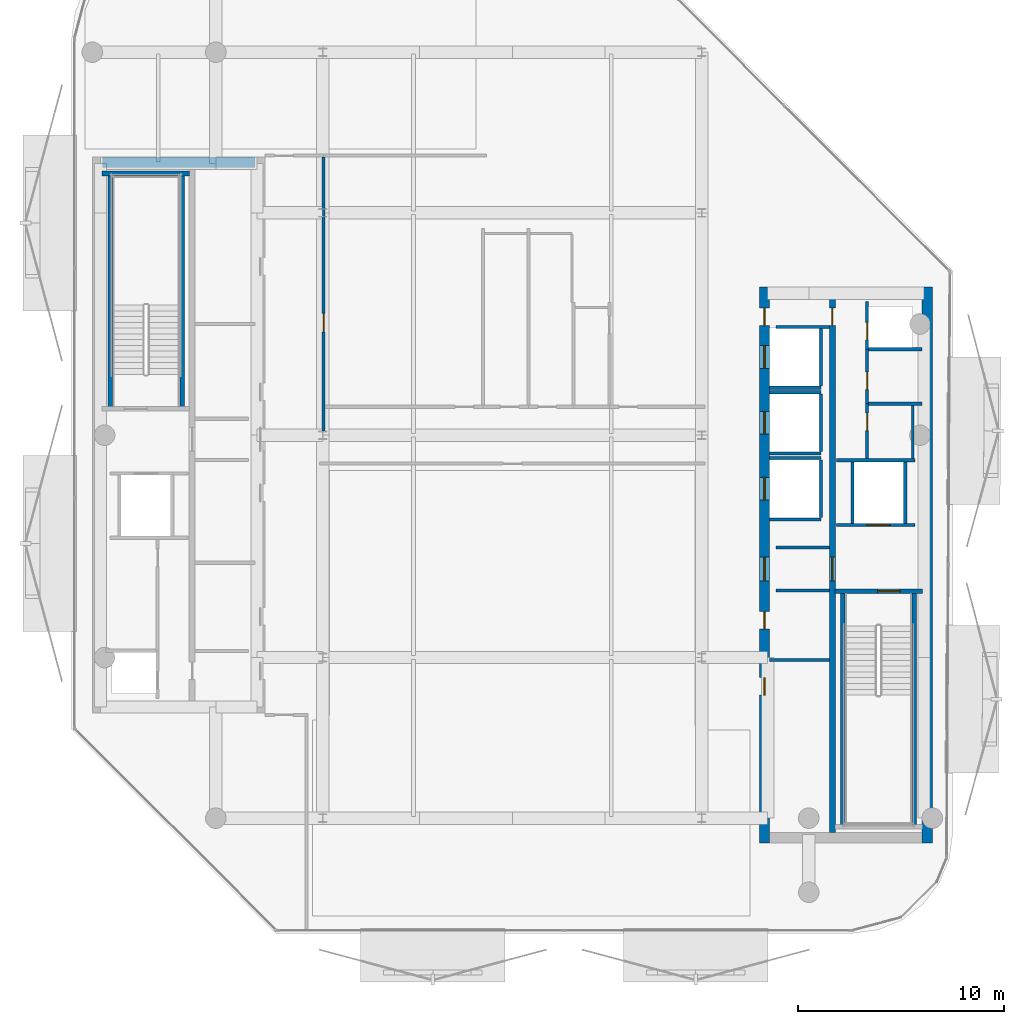
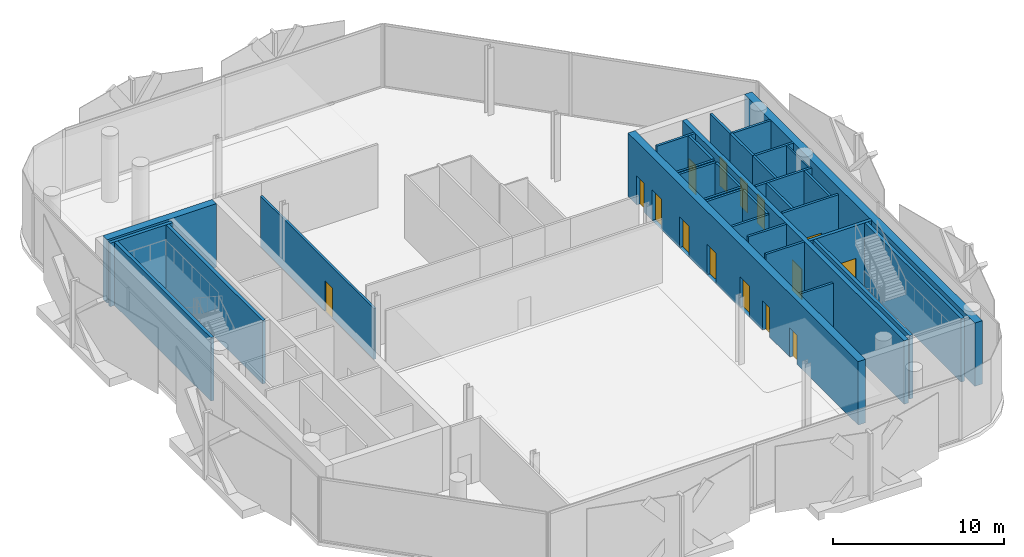
# One storey, part 5 of 15: 33 walls, 15 doors, 15 openings.
"""IFC4 building model written with IfcOpenShell, lengths in metres."""

from ifc_helpers import new_model, si_unit, direction, frame, frame_2d, origin, place, context, subcontext, project, spatial, rectangle, extrude, material, layer, layer_set, type_object, element, fill, save


model = new_model("IFC4")

# Units and contexts
model_context = context("Model", 3, precision=1e-05, world=origin(), true_north=direction((0.0, 1.0)))
body_context = subcontext(model_context, "Body", "Model", "MODEL_VIEW")
ifc_project = project(units=[si_unit("LENGTHUNIT", "METRE"), si_unit("AREAUNIT", "SQUARE_METRE"), si_unit("VOLUMEUNIT", "CUBIC_METRE"), si_unit("PLANEANGLEUNIT", "RADIAN"), si_unit("MASSUNIT", "GRAM", prefix="KILO")], contexts=[model_context])

# Site, building, storey
site_placement = place(None, origin())
site = spatial("IfcSite", under=ifc_project, at=site_placement, CompositionType="ELEMENT")
building_placement = place(site_placement, origin())
building = spatial("IfcBuilding", under=site, at=building_placement, Name="Khairoan Windgate Tower", CompositionType="ELEMENT")
storey_placement = place(building_placement, frame((0.0, 0.0, 315.60009765625)))
storey = spatial("IfcBuildingStorey", under=building, at=storey_placement, Name="L76", CompositionType="ELEMENT", Elevation=315.60009765625)

# Walls
ifc_material_1 = material(Name="Moisture-Resistant Gypsum Partition", Category="gypsum")
ifc_layer_1 = layer(ifc_material_1, 0.10009765625, Name="Moisture-Resistant Gypsum Partition")
ifc_layer_set_1 = layer_set([ifc_layer_1], Name="Moisture-Resistant Gypsum Partition")
wall_type_1 = type_object("IfcWallType", Name="Bathroom Wet-Area Partition Wall", PredefinedType="PARTITIONING", material=ifc_layer_set_1)
wall_1_placement = place(storey_placement, frame((19.449951171875, 1.449951171875, 0.0), z_axis=(0.0, 0.0, 1.0), x_axis=(0.0, -1.0, 0.0)))
element("IfcWall", 1, at=wall_1_placement, inside=storey, type_object=wall_type_1, Name="L76 Wet Room Side Wall 027", PredefinedType="PARTITIONING", context=body_context, shape_type="SweptSolid", body=[
    extrude(rectangle(XDim=2.58984375, YDim=0.10009765625, at=frame_2d((1.294921875, 0.0))), origin(), (0.0, 0.0, 1.0), 4.539794921875),
])
ifc_material_2 = material(Name="Concrete C40/50", Category="concrete")
ifc_layer_2 = layer(ifc_material_2, 0.159912109375, Name="Concrete C40/50")
ifc_layer_set_2 = layer_set([ifc_layer_2], Name="Concrete C40/50")
wall_type_2 = type_object("IfcWallType", Name="Core and Hoistway Enclosure Wall", PredefinedType="STANDARD", material=ifc_layer_set_2)
wall_2_placement = place(storey_placement, frame((12.5, 2.31005859375, 0.0), z_axis=(0.0, 0.0, 1.0), x_axis=(1.0, 0.0, 0.0)))
element("IfcWall", 2, at=wall_2_placement, inside=storey, type_object=wall_type_2, Name="L76 Lift PL7 Hoistway Divider S", PredefinedType="STANDARD", context=body_context, shape_type="SweptSolid", body=[
    extrude(rectangle(XDim=2.489990234375, YDim=0.159912109375, at=frame_2d((1.2451171875, 0.0))), origin(), (0.0, 0.0, 1.0), 4.539794921875),
])
wall_3_placement = place(storey_placement, frame((14.989990234375, 2.39990234375, 0.0), z_axis=(0.0, 0.0, 1.0), x_axis=(0.0, 1.0, 0.0)))
element("IfcWall", 3, at=wall_3_placement, inside=storey, type_object=wall_type_2, Name="L76 Lift PL7 Hoistway Back Wall", PredefinedType="STANDARD", context=body_context, shape_type="SweptSolid", body=[
    extrude(rectangle(XDim=2.800048828125, YDim=0.159912109375, at=frame_2d((1.39990234375, 0.0))), origin(), (0.0, 0.0, 1.0), 4.539794921875),
])
for number, where, z_axis, x_axis, name in (
    (4, (12.5, -0.889892578125, 0.0), (0.0, 0.0, 1.0), (1.0, 0.0, 0.0), "L76 Lift PL8 Hoistway Divider S"),
    (5, (12.5, 2.090087890625, 0.0), (0.0, 0.0, 1.0), (1.0, 0.0, 0.0), "L76 Lift PL8 Hoistway Divider N"),
):
    element("IfcWall", number, at=place(storey_placement, frame(where, z_axis=z_axis, x_axis=x_axis)), inside=storey, type_object=wall_type_2, Name=name, PredefinedType="STANDARD", context=body_context, shape_type="SweptSolid", body=[
        extrude(rectangle(XDim=2.489990234375, YDim=0.159912109375, at=frame_2d((1.2451171875, 0.0))), origin(), (0.0, 0.0, 1.0), 4.539794921875),
    ])
wall_4_placement = place(storey_placement, frame((14.989990234375, -0.800048828125, 0.0), z_axis=(0.0, 0.0, 1.0), x_axis=(0.0, 1.0, 0.0)))
element("IfcWall", 6, at=wall_4_placement, inside=storey, type_object=wall_type_2, Name="L76 Lift PL8 Hoistway Back Wall", PredefinedType="STANDARD", context=body_context, shape_type="SweptSolid", body=[
    extrude(rectangle(XDim=2.800048828125, YDim=0.159912109375, at=frame_2d((1.39990234375, 0.0))), origin(), (0.0, 0.0, 1.0), 4.539794921875),
])
for number, where, z_axis, x_axis, name in (
    (7, (12.5, -4.090087890625, 0.0), (0.0, 0.0, 1.0), (1.0, 0.0, 0.0), "L76 Lift PL9 Hoistway Divider S"),
    (8, (12.5, -1.110107421875, 0.0), (0.0, 0.0, 1.0), (1.0, 0.0, 0.0), "L76 Lift PL9 Hoistway Divider N"),
):
    element("IfcWall", number, at=place(storey_placement, frame(where, z_axis=z_axis, x_axis=x_axis)), inside=storey, type_object=wall_type_2, Name=name, PredefinedType="STANDARD", context=body_context, shape_type="SweptSolid", body=[
        extrude(rectangle(XDim=2.489990234375, YDim=0.159912109375, at=frame_2d((1.2451171875, 0.0))), origin(), (0.0, 0.0, 1.0), 4.539794921875),
    ])
wall_5_placement = place(storey_placement, frame((14.989990234375, -4.0, 0.0), z_axis=(0.0, 0.0, 1.0), x_axis=(0.0, 1.0, 0.0)))
element("IfcWall", 9, at=wall_5_placement, inside=storey, type_object=wall_type_2, Name="L76 Lift PL9 Hoistway Back Wall", PredefinedType="STANDARD", context=body_context, shape_type="SweptSolid", body=[
    extrude(rectangle(XDim=2.800048828125, YDim=0.159912109375, at=frame_2d((1.39990234375, 0.0))), origin(), (0.0, 0.0, 1.0), 4.539794921875),
])

# Wall, opening, door
wall_6_placement = place(storey_placement, frame((15.75, -4.360107421875, 0.0), z_axis=(0.0, 0.0, 1.0), x_axis=(1.0, 0.0, 0.0)))
wall_6 = element("IfcWall", 10, at=wall_6_placement, inside=storey, type_object=wall_type_2, Name="L76 Core Shaft Wall SW-FL1-L76", PredefinedType="STANDARD", context=body_context, shape_type="SweptSolid", body=[
    extrude(rectangle(XDim=3.800048828125, YDim=0.159912109375, at=frame_2d((1.89990234375, 0.0))), origin(), (0.0, 0.0, 1.0), 4.539794921875),
])
opening_1_placement = place(wall_6_placement, frame((1.469970703125, 0.0, 0.0)))
opening_1 = element("IfcOpeningElement", 11, at=opening_1_placement, cuts=wall_6, Name="Opening LD-FL", PredefinedType="OPENING", context=body_context, shape_type="SweptSolid", body=[
    extrude(rectangle(XDim=1.14990234375, YDim=2.199951171875, at=frame_2d((0.574951171875, 1.10009765625))), frame((0.0, 0.08984375, 0.0), z_axis=(0.0, -1.0, 0.0), x_axis=(1.0, 0.0, 0.0)), (0.0, 0.0, 1.0), 0.179931640625),
])
ifc_material_3 = material(Name="Steel S355", Category="steel")
door_type_1 = type_object("IfcDoorType", Name="Firefighting Lift Sliding Landing Door LD-FL 1150x2200", OperationType="DOUBLE_DOOR_SLIDING", PredefinedType="DOOR", material=ifc_material_3)
door_1_placement = place(opening_1_placement, origin())
door_1 = element("IfcDoor", 12, at=door_1_placement, inside=storey, type_object=door_type_1, Name="L76 Firefighting Lift FL1 Landing Door", OperationType="DOUBLE_DOOR_SLIDING", OverallHeight=2.199951171875, OverallWidth=1.14990234375, PredefinedType="DOOR", context=body_context, shape_type="SweptSolid", body=[
    extrude(rectangle(XDim=1.14990234375, YDim=2.199951171875, at=frame_2d((0.574951171875, 1.10009765625))), frame((0.0, 0.02490234375, 0.0), z_axis=(0.0, -1.0, 0.0), x_axis=(1.0, 0.0, 0.0)), (0.0, 0.0, 1.0), 0.050048828125),
])
fill(opening_1, door_1)

# Walls
wall_7_placement = place(storey_placement, frame((15.75, -1.219970703125, 0.0), z_axis=(0.0, 0.0, 1.0), x_axis=(1.0, 0.0, 0.0)))
element("IfcWall", 13, at=wall_7_placement, inside=storey, type_object=wall_type_2, Name="L76 Core Shaft Wall SW-FL1T-L76", PredefinedType="STANDARD", context=body_context, shape_type="SweptSolid", body=[
    extrude(rectangle(XDim=3.800048828125, YDim=0.159912109375, at=frame_2d((1.89990234375, 0.0))), origin(), (0.0, 0.0, 1.0), 4.539794921875),
])
for number, where, z_axis, x_axis, name in (
    (14, (16.52001953125, -4.280029296875, 0.0), (0.0, 0.0, 1.0), (0.0, 1.0, 0.0), "L76 Core Shaft Wall SW-FL1W-L76"),
    (15, (19.080078125, -4.280029296875, 0.0), (0.0, 0.0, 1.0), (0.0, 1.0, 0.0), "L76 Core Shaft Wall SW-FL1E-L76"),
):
    element("IfcWall", number, at=place(storey_placement, frame(where, z_axis=z_axis, x_axis=x_axis)), inside=storey, type_object=wall_type_2, Name=name, PredefinedType="STANDARD", context=body_context, shape_type="SweptSolid", body=[
        extrude(rectangle(XDim=2.97998046875, YDim=0.159912109375, at=frame_2d((1.489990234375, 0.0))), origin(), (0.0, 0.0, 1.0), 4.539794921875),
    ])
for number, where, z_axis, x_axis, name in (
    (16, (12.800048828125, -5.449951171875, 0.0), (0.0, 0.0, 1.0), (1.0, 0.0, 0.0), "L76 Core Shaft Wall SW-EV1-L76"),
    (17, (12.800048828125, -7.5400390625, 0.0), (0.0, 0.0, 1.0), (1.0, 0.0, 0.0), "L76 Core Shaft Wall SW-EV2-L76"),
    (18, (12.800048828125, 5.25, 0.0), (0.0, 0.0, 1.0), (1.0, 0.0, 0.0), "L76 Core Shaft Wall SW-ESV-L76"),
):
    element("IfcWall", number, at=place(storey_placement, frame(where, z_axis=z_axis, x_axis=x_axis)), inside=storey, type_object=wall_type_2, Name=name, PredefinedType="STANDARD", context=body_context, shape_type="SweptSolid", body=[
        extrude(rectangle(XDim=2.599853515625, YDim=0.159912109375, at=frame_2d((1.2998046875, 0.0))), origin(), (0.0, 0.0, 1.0), 4.539794921875),
    ])

# Wall, opening, door
ifc_material_4 = material(Name="Concrete C40/50", Category="concrete")
ifc_layer_3 = layer(ifc_material_4, 0.159912109375, Name="Concrete C40/50")
ifc_layer_set_3 = layer_set([ifc_layer_3], Name="Concrete C40/50")
wall_type_3 = type_object("IfcWallType", Name="Plant and Refuge Compartment Wall", PredefinedType="PARTITIONING", material=ifc_layer_set_3)
wall_8_placement = place(storey_placement, frame((17.22998046875, 4.169921875, 0.0), z_axis=(0.0, 0.0, 1.0), x_axis=(0.0, 1.0, 0.0)))
wall_8 = element("IfcWall", 19, at=wall_8_placement, inside=storey, type_object=wall_type_3, Name="L76 Interior Partition 006", PredefinedType="PARTITIONING", context=body_context, shape_type="SweptSolid", body=[
    extrude(rectangle(XDim=2.320068359375, YDim=0.159912109375, at=frame_2d((1.16015625, 0.0))), origin(), (0.0, 0.0, 1.0), 4.539794921875),
])
opening_2_placement = place(wall_8_placement, frame((0.4599609375, 0.0, 0.0)))
opening_2 = element("IfcOpeningElement", 20, at=opening_2_placement, cuts=wall_8, Name="Opening FD-SRV", PredefinedType="OPENING", context=body_context, shape_type="SweptSolid", body=[
    extrude(rectangle(XDim=0.85009765625, YDim=2.10009765625, at=frame_2d((0.425048828125, 1.050048828125))), frame((0.0, 0.08984375, 0.0), z_axis=(0.0, -1.0, 0.0), x_axis=(1.0, 0.0, 0.0)), (0.0, 0.0, 1.0), 0.179931640625),
])
ifc_material_5 = material(Name="Steel S355", Category="steel")
door_type_2 = type_object("IfcDoorType", Name="Core Service and Riser Fire Door FD-SRV 850x2100", OperationType="NOTDEFINED", PredefinedType="DOOR", material=ifc_material_5)
door_2_placement = place(opening_2_placement, origin())
door_2 = element("IfcDoor", 21, at=door_2_placement, inside=storey, type_object=door_type_2, Name="L76 L76-16-L76-17 Door", OperationType="SINGLE_SWING_LEFT", OverallHeight=2.10009765625, OverallWidth=0.85009765625, PredefinedType="DOOR", context=body_context, shape_type="SweptSolid", body=[
    extrude(rectangle(XDim=0.85009765625, YDim=2.10009765625, at=frame_2d((0.425048828125, 1.050048828125))), frame((0.0, 0.02490234375, 0.0), z_axis=(0.0, -1.0, 0.0), x_axis=(1.0, 0.0, 0.0)), (0.0, 0.0, 1.0), 0.050048828125),
])
fill(opening_2, door_2)

wall_9_placement = place(storey_placement, frame((17.22998046875, -1.139892578125, 0.0), z_axis=(0.0, 0.0, 1.0), x_axis=(0.0, 1.0, 0.0)))
wall_9 = element("IfcWall", 22, at=wall_9_placement, inside=storey, type_object=wall_type_3, Name="L76 Interior Partition 007", PredefinedType="PARTITIONING", context=body_context, shape_type="SweptSolid", body=[
    extrude(rectangle(XDim=2.669921875, YDim=0.159912109375, at=frame_2d((1.3349609375, 0.0))), origin(), (0.0, 0.0, 1.0), 4.539794921875),
])
opening_3_placement = place(wall_9_placement, frame((1.360107421875, 0.0, 0.0)))
opening_3 = element("IfcOpeningElement", 23, at=opening_3_placement, cuts=wall_9, Name="Opening FD-SRV", PredefinedType="OPENING", context=body_context, shape_type="SweptSolid", body=[
    extrude(rectangle(XDim=0.85009765625, YDim=2.10009765625, at=frame_2d((0.425048828125, 1.050048828125))), frame((0.0, 0.08984375, 0.0), z_axis=(0.0, -1.0, 0.0), x_axis=(1.0, 0.0, 0.0)), (0.0, 0.0, 1.0), 0.179931640625),
])
door_3_placement = place(opening_3_placement, origin())
door_3 = element("IfcDoor", 24, at=door_3_placement, inside=storey, type_object=door_type_2, Name="L76 L76-16-L76-18 Door", OperationType="SINGLE_SWING_RIGHT", OverallHeight=2.10009765625, OverallWidth=0.85009765625, PredefinedType="DOOR", context=body_context, shape_type="SweptSolid", body=[
    extrude(rectangle(XDim=0.85009765625, YDim=2.10009765625, at=frame_2d((0.425048828125, 1.050048828125))), frame((0.0, 0.02490234375, 0.0), z_axis=(0.0, -1.0, 0.0), x_axis=(1.0, 0.0, 0.0)), (0.0, 0.0, 1.0), 0.050048828125),
])
fill(opening_3, door_3)

wall_10_placement = place(storey_placement, frame((17.22998046875, 1.530029296875, 0.0), z_axis=(0.0, 0.0, 1.0), x_axis=(0.0, 1.0, 0.0)))
wall_10 = element("IfcWall", 25, at=wall_10_placement, inside=storey, type_object=wall_type_3, Name="L76 Interior Partition 008", PredefinedType="PARTITIONING", context=body_context, shape_type="SweptSolid", body=[
    extrude(rectangle(XDim=2.639892578125, YDim=0.159912109375, at=frame_2d((1.31982421875, 0.0))), origin(), (0.0, 0.0, 1.0), 4.539794921875),
])
opening_4_placement = place(wall_10_placement, frame((0.677490234375, 0.0, 0.0)))
opening_4 = element("IfcOpeningElement", 26, at=opening_4_placement, cuts=wall_10, Name="Opening FD-SRV", PredefinedType="OPENING", context=body_context, shape_type="SweptSolid", body=[
    extrude(rectangle(XDim=0.85009765625, YDim=2.10009765625, at=frame_2d((0.425048828125, 1.050048828125))), frame((0.0, 0.08984375, 0.0), z_axis=(0.0, -1.0, 0.0), x_axis=(1.0, 0.0, 0.0)), (0.0, 0.0, 1.0), 0.179931640625),
])
door_4_placement = place(opening_4_placement, origin())
door_4 = element("IfcDoor", 27, at=door_4_placement, inside=storey, type_object=door_type_2, Name="L76 L76-16-L76-19 Door", OperationType="SINGLE_SWING_LEFT", OverallHeight=2.10009765625, OverallWidth=0.85009765625, PredefinedType="DOOR", context=body_context, shape_type="SweptSolid", body=[
    extrude(rectangle(XDim=0.85009765625, YDim=2.10009765625, at=frame_2d((0.425048828125, 1.050048828125))), frame((0.0, 0.02490234375, 0.0), z_axis=(0.0, -1.0, 0.0), x_axis=(1.0, 0.0, 0.0)), (0.0, 0.0, 1.0), 0.050048828125),
])
fill(opening_4, door_4)

# Walls
for number, where, z_axis, x_axis, name in (
    (28, (17.31005859375, 4.169921875, 0.0), (0.0, 0.0, 1.0), (1.0, 0.0, 0.0), "L76 Interior Partition 009"),
    (29, (17.31005859375, 1.530029296875, 0.0), (0.0, 0.0, 1.0), (1.0, 0.0, 0.0), "L76 Interior Partition 010"),
):
    element("IfcWall", number, at=place(storey_placement, frame(where, z_axis=z_axis, x_axis=x_axis)), inside=storey, type_object=wall_type_3, Name=name, PredefinedType="PARTITIONING", context=body_context, shape_type="SweptSolid", body=[
        extrude(rectangle(XDim=2.58984375, YDim=0.159912109375, at=frame_2d((1.294921875, 0.0))), origin(), (0.0, 0.0, 1.0), 4.539794921875),
    ])
wall_11_placement = place(storey_placement, frame((12.5, -10.919921875, 0.0), z_axis=(0.0, 0.0, 1.0), x_axis=(1.0, 0.0, 0.0)))
element("IfcWall", 30, at=wall_11_placement, inside=storey, type_object=wall_type_3, Name="L76 Interior Partition 011", PredefinedType="PARTITIONING", context=body_context, shape_type="SweptSolid", body=[
    extrude(rectangle(XDim=2.89990234375, YDim=0.159912109375, at=frame_2d((1.449951171875, 0.0))), origin(), (0.0, 0.0, 1.0), 3.639892578125),
])

# Wall, opening, door
ifc_material_6 = material(Name="Acoustic Fire-Rated Gypsum Partition", Category="gypsum")
ifc_layer_4 = layer(ifc_material_6, 0.14990234375, Name="Acoustic Fire-Rated Gypsum Partition")
ifc_layer_set_4 = layer_set([ifc_layer_4], Name="Acoustic Fire-Rated Gypsum Partition")
wall_type_4 = type_object("IfcWallType", Name="Rated Corridor Partition Wall", PredefinedType="PARTITIONING", material=ifc_layer_set_4)
wall_12_placement = place(storey_placement, frame((-9.159912109375, 0.19580078125, 0.0), z_axis=(0.0, 0.0, 1.0), x_axis=(0.0, 1.0, 0.0)))
wall_12 = element("IfcWall", 31, at=wall_12_placement, inside=storey, type_object=wall_type_4, Name="L76 Interior Partition 013", PredefinedType="PARTITIONING", context=body_context, shape_type="SweptSolid", body=[
    extrude(rectangle(XDim=13.30908203125, YDim=0.14990234375, at=frame_2d((6.654541015625, 0.0))), origin(), (0.0, 0.0, 1.0), 3.639892578125),
])
opening_5_placement = place(wall_12_placement, frame((4.82568359375, 0.0, 0.0)))
opening_5 = element("IfcOpeningElement", 32, at=opening_5_placement, cuts=wall_12, Name="Opening FD-ENT", PredefinedType="OPENING", context=body_context, shape_type="SweptSolid", body=[
    extrude(rectangle(XDim=0.89990234375, YDim=2.14990234375, at=frame_2d((0.449951171875, 1.074951171875))), frame((0.0, 0.0849609375, 0.0), z_axis=(0.0, -1.0, 0.0), x_axis=(1.0, 0.0, 0.0)), (0.0, 0.0, 1.0), 0.169921875),
])
ifc_material_7 = material(Name="Timber Fire-Rated Core", Category="wood")
door_type_3 = type_object("IfcDoorType", Name="Unit and Office Fire Entrance Door FD-ENT 900x2150", OperationType="NOTDEFINED", PredefinedType="DOOR", material=ifc_material_7)
door_5_placement = place(opening_5_placement, origin())
door_5 = element("IfcDoor", 33, at=door_5_placement, inside=storey, type_object=door_type_3, Name="L76 L76-27-L76-32 Door", OperationType="SINGLE_SWING_LEFT", OverallHeight=2.14990234375, OverallWidth=0.89990234375, PredefinedType="DOOR", context=body_context, shape_type="SweptSolid", body=[
    extrude(rectangle(XDim=0.89990234375, YDim=2.14990234375, at=frame_2d((0.449951171875, 1.074951171875))), frame((0.0, 0.02490234375, 0.0), z_axis=(0.0, -1.0, 0.0), x_axis=(1.0, 0.0, 0.0)), (0.0, 0.0, 1.0), 0.050048828125),
])
fill(opening_5, door_5)

# Wall, openings, doors
ifc_material_8 = material(Name="Concrete C50/60", Category="concrete")
ifc_layer_5 = layer(ifc_material_8, 0.5, Name="Concrete C50/60")
ifc_layer_set_5 = layer_set([ifc_layer_5], Name="Concrete C50/60")
wall_type_5 = type_object("IfcWallType", Name="Shear Wall CW-E3 500mm", PredefinedType="SHEAR", material=ifc_layer_set_5)
wall_13_placement = place(storey_placement, frame((12.25, -19.800048828125, 0.0), z_axis=(0.0, 0.0, 1.0), x_axis=(0.0, 1.0, 0.0)))
wall_13 = element("IfcWall", 34, at=wall_13_placement, inside=storey, type_object=wall_type_5, Name="E Core West Shear Wall L76", PredefinedType="SHEAR", context=body_context, shape_type="SweptSolid", body=[
    extrude(rectangle(XDim=27.0, YDim=0.5, at=frame_2d((13.5, 0.0))), origin(), (0.0, 0.0, 1.0), 4.539794921875),
])
opening_6_placement = place(wall_13_placement, frame((23.050048828125, 0.0, 0.0)))
opening_6 = element("IfcOpeningElement", 35, at=opening_6_placement, cuts=wall_13, Name="Opening LD-PL", PredefinedType="OPENING", context=body_context, shape_type="SweptSolid", body=[
    extrude(rectangle(XDim=1.10009765625, YDim=2.199951171875, at=frame_2d((0.550048828125, 1.10009765625))), frame((0.0, 0.260009765625, 0.0), z_axis=(0.0, -1.0, 0.0), x_axis=(1.0, 0.0, 0.0)), (0.0, 0.0, 1.0), 0.52001953125),
])
opening_7_placement = place(wall_13_placement, frame((19.85009765625, 0.0, 0.0)))
opening_7 = element("IfcOpeningElement", 36, at=opening_7_placement, cuts=wall_13, Name="Opening LD-PL", PredefinedType="OPENING", context=body_context, shape_type="SweptSolid", body=[
    extrude(rectangle(XDim=1.10009765625, YDim=2.199951171875, at=frame_2d((0.550048828125, 1.10009765625))), frame((0.0, 0.260009765625, 0.0), z_axis=(0.0, -1.0, 0.0), x_axis=(1.0, 0.0, 0.0)), (0.0, 0.0, 1.0), 0.52001953125),
])
opening_8_placement = place(wall_13_placement, frame((16.64990234375, 0.0, 0.0)))
opening_8 = element("IfcOpeningElement", 37, at=opening_8_placement, cuts=wall_13, Name="Opening LD-PL", PredefinedType="OPENING", context=body_context, shape_type="SweptSolid", body=[
    extrude(rectangle(XDim=1.10009765625, YDim=2.199951171875, at=frame_2d((0.550048828125, 1.10009765625))), frame((0.0, 0.260009765625, 0.0), z_axis=(0.0, -1.0, 0.0), x_axis=(1.0, 0.0, 0.0)), (0.0, 0.0, 1.0), 0.52001953125),
])
opening_9_placement = place(wall_13_placement, frame((7.175048828125, 0.0, 0.0)))
opening_9 = element("IfcOpeningElement", 38, at=opening_9_placement, cuts=wall_13, Name="Opening FD-SRV", PredefinedType="OPENING", context=body_context, shape_type="SweptSolid", body=[
    extrude(rectangle(XDim=0.85009765625, YDim=2.10009765625, at=frame_2d((0.425048828125, 1.050048828125))), frame((0.0, 0.260009765625, 0.0), z_axis=(0.0, -1.0, 0.0), x_axis=(1.0, 0.0, 0.0)), (0.0, 0.0, 1.0), 0.52001953125),
])
opening_10_placement = place(wall_13_placement, frame((10.375, 0.0, 0.0)))
opening_10 = element("IfcOpeningElement", 39, at=opening_10_placement, cuts=wall_13, Name="Opening FD-SRV", PredefinedType="OPENING", context=body_context, shape_type="SweptSolid", body=[
    extrude(rectangle(XDim=0.85009765625, YDim=2.10009765625, at=frame_2d((0.425048828125, 1.050048828125))), frame((0.0, 0.260009765625, 0.0), z_axis=(0.0, -1.0, 0.0), x_axis=(1.0, 0.0, 0.0)), (0.0, 0.0, 1.0), 0.52001953125),
])
opening_11_placement = place(wall_13_placement, frame((12.72509765625, 0.0, 0.0)))
opening_11 = element("IfcOpeningElement", 40, at=opening_11_placement, cuts=wall_13, Name="Opening FD-FFL", PredefinedType="OPENING", context=body_context, shape_type="SweptSolid", body=[
    extrude(rectangle(XDim=1.14990234375, YDim=2.199951171875, at=frame_2d((0.574951171875, 1.10009765625))), frame((0.0, 0.260009765625, 0.0), z_axis=(0.0, -1.0, 0.0), x_axis=(1.0, 0.0, 0.0)), (0.0, 0.0, 1.0), 0.52001953125),
])
opening_12_placement = place(wall_13_placement, frame((25.125, 0.0, 0.0)))
opening_12 = element("IfcOpeningElement", 41, at=opening_12_placement, cuts=wall_13, Name="Opening FD-SRV", PredefinedType="OPENING", context=body_context, shape_type="SweptSolid", body=[
    extrude(rectangle(XDim=0.85009765625, YDim=2.10009765625, at=frame_2d((0.425048828125, 1.050048828125))), frame((0.0, 0.260009765625, 0.0), z_axis=(0.0, -1.0, 0.0), x_axis=(1.0, 0.0, 0.0)), (0.0, 0.0, 1.0), 0.52001953125),
])
door_6_placement = place(opening_9_placement, origin())
door_6 = element("IfcDoor", 42, at=door_6_placement, inside=storey, type_object=door_type_2, Name="L76 East Core Service Room Door 1", OperationType="SINGLE_SWING_LEFT", OverallHeight=2.10009765625, OverallWidth=0.85009765625, PredefinedType="DOOR", context=body_context, shape_type="SweptSolid", body=[
    extrude(rectangle(XDim=0.85009765625, YDim=2.10009765625, at=frame_2d((0.425048828125, 1.050048828125))), frame((0.0, 0.02490234375, 0.0), z_axis=(0.0, -1.0, 0.0), x_axis=(1.0, 0.0, 0.0)), (0.0, 0.0, 1.0), 0.050048828125),
])
fill(opening_9, door_6)
door_7_placement = place(opening_10_placement, origin())
door_7 = element("IfcDoor", 43, at=door_7_placement, inside=storey, type_object=door_type_2, Name="L76 East Core Service Room Door 2", OperationType="SINGLE_SWING_RIGHT", OverallHeight=2.10009765625, OverallWidth=0.85009765625, PredefinedType="DOOR", context=body_context, shape_type="SweptSolid", body=[
    extrude(rectangle(XDim=0.85009765625, YDim=2.10009765625, at=frame_2d((0.425048828125, 1.050048828125))), frame((0.0, 0.02490234375, 0.0), z_axis=(0.0, -1.0, 0.0), x_axis=(1.0, 0.0, 0.0)), (0.0, 0.0, 1.0), 0.050048828125),
])
fill(opening_10, door_7)
door_8_placement = place(opening_12_placement, origin())
door_8 = element("IfcDoor", 44, at=door_8_placement, inside=storey, type_object=door_type_2, Name="L76 East Core Service Vestibule Outer Door", OperationType="SINGLE_SWING_LEFT", OverallHeight=2.10009765625, OverallWidth=0.85009765625, PredefinedType="DOOR", context=body_context, shape_type="SweptSolid", body=[
    extrude(rectangle(XDim=0.85009765625, YDim=2.10009765625, at=frame_2d((0.425048828125, 1.050048828125))), frame((0.0, 0.02490234375, 0.0), z_axis=(0.0, -1.0, 0.0), x_axis=(1.0, 0.0, 0.0)), (0.0, 0.0, 1.0), 0.050048828125),
])
fill(opening_12, door_8)
ifc_material_9 = material(Name="Steel S355", Category="steel")
door_type_4 = type_object("IfcDoorType", Name="Firefighting Lobby Fire Door FD-FFL 1150x2200", OperationType="NOTDEFINED", PredefinedType="DOOR", material=ifc_material_9)
door_9_placement = place(opening_11_placement, origin())
door_9 = element("IfcDoor", 45, at=door_9_placement, inside=storey, type_object=door_type_4, Name="L76 East Core Vestibule Entry Door", OperationType="SINGLE_SWING_LEFT", OverallHeight=2.199951171875, OverallWidth=1.14990234375, PredefinedType="DOOR", context=body_context, shape_type="SweptSolid", body=[
    extrude(rectangle(XDim=1.14990234375, YDim=2.199951171875, at=frame_2d((0.574951171875, 1.10009765625))), frame((0.0, 0.02490234375, 0.0), z_axis=(0.0, -1.0, 0.0), x_axis=(1.0, 0.0, 0.0)), (0.0, 0.0, 1.0), 0.050048828125),
])
fill(opening_11, door_9)
ifc_material_10 = material(Name="Anodised Bronze Aluminium 6063-T6", Category="aluminium")
door_type_5 = type_object("IfcDoorType", Name="Passenger Lift Sliding Landing Door LD-PL 1100x2200", OperationType="DOUBLE_DOOR_SLIDING", PredefinedType="DOOR", material=ifc_material_10)
door_10_placement = place(opening_6_placement, origin())
door_10 = element("IfcDoor", 46, at=door_10_placement, inside=storey, type_object=door_type_5, Name="L76 Lift PL7 Sliding Landing Door", OperationType="DOUBLE_DOOR_SLIDING", OverallHeight=2.199951171875, OverallWidth=1.10009765625, PredefinedType="DOOR", context=body_context, shape_type="SweptSolid", body=[
    extrude(rectangle(XDim=1.10009765625, YDim=2.199951171875, at=frame_2d((0.550048828125, 1.10009765625))), frame((0.0, 0.02490234375, 0.0), z_axis=(0.0, -1.0, 0.0), x_axis=(1.0, 0.0, 0.0)), (0.0, 0.0, 1.0), 0.050048828125),
])
fill(opening_6, door_10)
door_11_placement = place(opening_7_placement, origin())
door_11 = element("IfcDoor", 47, at=door_11_placement, inside=storey, type_object=door_type_5, Name="L76 Lift PL8 Sliding Landing Door", OperationType="DOUBLE_DOOR_SLIDING", OverallHeight=2.199951171875, OverallWidth=1.10009765625, PredefinedType="DOOR", context=body_context, shape_type="SweptSolid", body=[
    extrude(rectangle(XDim=1.10009765625, YDim=2.199951171875, at=frame_2d((0.550048828125, 1.10009765625))), frame((0.0, 0.02490234375, 0.0), z_axis=(0.0, -1.0, 0.0), x_axis=(1.0, 0.0, 0.0)), (0.0, 0.0, 1.0), 0.050048828125),
])
fill(opening_7, door_11)
door_12_placement = place(opening_8_placement, origin())
door_12 = element("IfcDoor", 48, at=door_12_placement, inside=storey, type_object=door_type_5, Name="L76 Lift PL9 Sliding Landing Door", OperationType="DOUBLE_DOOR_SLIDING", OverallHeight=2.199951171875, OverallWidth=1.10009765625, PredefinedType="DOOR", context=body_context, shape_type="SweptSolid", body=[
    extrude(rectangle(XDim=1.10009765625, YDim=2.199951171875, at=frame_2d((0.550048828125, 1.10009765625))), frame((0.0, 0.02490234375, 0.0), z_axis=(0.0, -1.0, 0.0), x_axis=(1.0, 0.0, 0.0)), (0.0, 0.0, 1.0), 0.050048828125),
])
fill(opening_8, door_12)

# Walls
wall_14_placement = place(storey_placement, frame((20.14990234375, -19.800048828125, 0.0), z_axis=(0.0, 0.0, 1.0), x_axis=(0.0, 1.0, 0.0)))
element("IfcWall", 49, at=wall_14_placement, inside=storey, type_object=wall_type_5, Name="E Core East Shear Wall L76", PredefinedType="SHEAR", context=body_context, shape_type="SweptSolid", body=[
    extrude(rectangle(XDim=27.0, YDim=0.5, at=frame_2d((13.5, 0.0))), origin(), (0.0, 0.0, 1.0), 4.539794921875),
])
ifc_material_11 = material(Name="Concrete C50/60", Category="concrete")
ifc_layer_6 = layer(ifc_material_11, 0.5, Name="Concrete C50/60")
ifc_layer_set_6 = layer_set([ifc_layer_6], Name="Concrete C50/60")
wall_type_6 = type_object("IfcWallType", Name="Shear Wall CW-W3 500mm", PredefinedType="SHEAR", material=ifc_layer_set_6)
wall_15_placement = place(storey_placement, frame((-19.89990234375, 13.25, 0.0), z_axis=(0.0, 0.0, 1.0), x_axis=(1.0, 0.0, 0.0)))
element("IfcWall", 50, at=wall_15_placement, inside=storey, type_object=wall_type_6, Name="W Core North Shear Wall L76", PredefinedType="SHEAR", context=body_context, shape_type="SweptSolid", body=[
    extrude(rectangle(XDim=7.39990234375, YDim=0.5, at=frame_2d((3.699951171875, 0.0))), origin(), (0.0, 0.0, 1.0), 4.539794921875),
])

# Wall, openings, doors
ifc_material_12 = material(Name="Concrete C50/60", Category="concrete")
ifc_layer_7 = layer(ifc_material_12, 0.300048828125, Name="Concrete C50/60")
ifc_layer_set_7 = layer_set([ifc_layer_7], Name="Concrete C50/60")
wall_type_7 = type_object("IfcWallType", Name="Shear Wall SW-2 300mm", PredefinedType="SHEAR", material=ifc_layer_set_7)
wall_16_placement = place(storey_placement, frame((15.550048828125, -19.300048828125, 0.0), z_axis=(0.0, 0.0, 1.0), x_axis=(0.0, 1.0, 0.0)))
wall_16 = element("IfcWall", 51, at=wall_16_placement, inside=storey, type_object=wall_type_7, Name="E Core Spine Shear Wall L76", PredefinedType="SHEAR", context=body_context, shape_type="SweptSolid", body=[
    extrude(rectangle(XDim=26.0, YDim=0.300048828125, at=frame_2d((13.0, 0.0))), origin(), (0.0, 0.0, 1.0), 4.539794921875),
])
opening_13_placement = place(wall_16_placement, frame((12.22509765625, 0.0, 0.0)))
opening_13 = element("IfcOpeningElement", 52, at=opening_13_placement, cuts=wall_16, Name="Opening FD-FFL", PredefinedType="OPENING", context=body_context, shape_type="SweptSolid", body=[
    extrude(rectangle(XDim=1.14990234375, YDim=2.199951171875, at=frame_2d((0.574951171875, 1.10009765625))), frame((0.0, 0.159912109375, 0.0), z_axis=(0.0, -1.0, 0.0), x_axis=(1.0, 0.0, 0.0)), (0.0, 0.0, 1.0), 0.320068359375),
])
opening_14_placement = place(wall_16_placement, frame((24.625, 0.0, 0.0)))
opening_14 = element("IfcOpeningElement", 53, at=opening_14_placement, cuts=wall_16, Name="Opening FD-SRV", PredefinedType="OPENING", context=body_context, shape_type="SweptSolid", body=[
    extrude(rectangle(XDim=0.85009765625, YDim=2.10009765625, at=frame_2d((0.425048828125, 1.050048828125))), frame((0.0, 0.159912109375, 0.0), z_axis=(0.0, -1.0, 0.0), x_axis=(1.0, 0.0, 0.0)), (0.0, 0.0, 1.0), 0.320068359375),
])
door_13_placement = place(opening_14_placement, origin())
door_13 = element("IfcDoor", 54, at=door_13_placement, inside=storey, type_object=door_type_2, Name="L76 East Core Service Passage Inner Door", OperationType="SINGLE_SWING_RIGHT", OverallHeight=2.10009765625, OverallWidth=0.85009765625, PredefinedType="DOOR", context=body_context, shape_type="SweptSolid", body=[
    extrude(rectangle(XDim=0.85009765625, YDim=2.10009765625, at=frame_2d((0.425048828125, 1.050048828125))), frame((0.0, 0.02490234375, 0.0), z_axis=(0.0, -1.0, 0.0), x_axis=(1.0, 0.0, 0.0)), (0.0, 0.0, 1.0), 0.050048828125),
])
fill(opening_14, door_13)
door_14_placement = place(opening_13_placement, origin())
door_14 = element("IfcDoor", 55, at=door_14_placement, inside=storey, type_object=door_type_4, Name="L76 East Firefighting Lobby Fire Door", OperationType="SINGLE_SWING_RIGHT", OverallHeight=2.199951171875, OverallWidth=1.14990234375, PredefinedType="DOOR", context=body_context, shape_type="SweptSolid", body=[
    extrude(rectangle(XDim=1.14990234375, YDim=2.199951171875, at=frame_2d((0.574951171875, 1.10009765625))), frame((0.0, 0.02490234375, 0.0), z_axis=(0.0, -1.0, 0.0), x_axis=(1.0, 0.0, 0.0)), (0.0, 0.0, 1.0), 0.050048828125),
])
fill(opening_13, door_14)

# Walls
ifc_material_13 = material(Name="Concrete C50/60", Category="concrete")
ifc_layer_8 = layer(ifc_material_13, 0.219970703125, Name="Concrete C50/60")
ifc_layer_set_8 = layer_set([ifc_layer_8], Name="Concrete C50/60")
wall_type_8 = type_object("IfcWallType", Name="Shear Wall SW-ST 220mm", PredefinedType="SHEAR", material=ifc_layer_set_8)
for number, where, z_axis, x_axis, name in (
    (56, (16.0400390625, -19.010009765625, 0.0), (0.0, 0.0, 1.0), (0.0, 1.0, 0.0), "L76 Stair ST1 West Bearing Wall"),
    (57, (19.530029296875, -19.010009765625, 0.0), (0.0, 0.0, 1.0), (0.0, 1.0, 0.0), "L76 Stair ST1 East Bearing Wall"),
):
    element("IfcWall", number, at=place(storey_placement, frame(where, z_axis=z_axis, x_axis=x_axis)), inside=storey, type_object=wall_type_8, Name=name, PredefinedType="SHEAR", context=body_context, shape_type="SweptSolid", body=[
        extrude(rectangle(XDim=11.419921875, YDim=0.219970703125, at=frame_2d((5.7099609375, 0.0))), origin(), (0.0, 0.0, 1.0), 4.539794921875),
    ])

# Wall, opening, door
wall_17_placement = place(storey_placement, frame((19.919921875, -7.590087890625, 0.0), z_axis=(0.0, 0.0, 1.0), x_axis=(-1.0, 0.0, 0.0)))
wall_17 = element("IfcWall", 58, at=wall_17_placement, inside=storey, type_object=wall_type_8, Name="L76 Stair ST1 North Bearing Wall", PredefinedType="SHEAR", context=body_context, shape_type="SweptSolid", body=[
    extrude(rectangle(XDim=4.239990234375, YDim=0.219970703125, at=frame_2d((2.1201171875, 0.0))), origin(), (0.0, 0.0, 1.0), 4.539794921875),
])
opening_15_placement = place(wall_17_placement, frame((1.080078125, 0.0, 0.0)))
opening_15 = element("IfcOpeningElement", 59, at=opening_15_placement, cuts=wall_17, Name="Opening FD-ST", PredefinedType="OPENING", context=body_context, shape_type="SweptSolid", body=[
    extrude(rectangle(XDim=1.10009765625, YDim=2.199951171875, at=frame_2d((0.550048828125, 1.10009765625))), frame((0.0, 0.119873046875, 0.0), z_axis=(0.0, -1.0, 0.0), x_axis=(1.0, 0.0, 0.0)), (0.0, 0.0, 1.0), 0.239990234375),
])
ifc_material_14 = material(Name="Steel S355", Category="steel")
door_type_6 = type_object("IfcDoorType", Name="Smokeproof Stair Fire Door FD-ST 1100x2200", OperationType="NOTDEFINED", PredefinedType="DOOR", material=ifc_material_14)
door_15_placement = place(opening_15_placement, origin())
door_15 = element("IfcDoor", 60, at=door_15_placement, inside=storey, type_object=door_type_6, Name="L76 Stair ST1 Fire Door", OperationType="SINGLE_SWING_LEFT", OverallHeight=2.199951171875, OverallWidth=1.10009765625, PredefinedType="DOOR", context=body_context, shape_type="SweptSolid", body=[
    extrude(rectangle(XDim=1.10009765625, YDim=2.199951171875, at=frame_2d((0.550048828125, 1.10009765625))), frame((0.0, 0.02490234375, 0.0), z_axis=(0.0, -1.0, 0.0), x_axis=(1.0, 0.0, 0.0)), (0.0, 0.0, 1.0), 0.050048828125),
])
fill(opening_15, door_15)

# Walls
for number, where, z_axis, x_axis, name in (
    (61, (-16.0400390625, 1.2900390625, 0.0), (0.0, 0.0, 1.0), (0.0, 1.0, 0.0), "L76 Stair ST2 East Bearing Wall"),
    (62, (-19.530029296875, 1.2900390625, 0.0), (0.0, 0.0, 1.0), (0.0, 1.0, 0.0), "L76 Stair ST2 West Bearing Wall"),
):
    element("IfcWall", number, at=place(storey_placement, frame(where, z_axis=z_axis, x_axis=x_axis)), inside=storey, type_object=wall_type_8, Name=name, PredefinedType="SHEAR", context=body_context, shape_type="SweptSolid", body=[
        extrude(rectangle(XDim=11.419921875, YDim=0.219970703125, at=frame_2d((5.7099609375, 0.0))), origin(), (0.0, 0.0, 1.0), 4.539794921875),
    ])
wall_18_placement = place(storey_placement, frame((-19.919921875, 12.7099609375, 0.0), z_axis=(0.0, 0.0, 1.0), x_axis=(1.0, 0.0, 0.0)))
element("IfcWall", 63, at=wall_18_placement, inside=storey, type_object=wall_type_8, Name="L76 Stair ST2 North Bearing Wall", PredefinedType="SHEAR", context=body_context, shape_type="SweptSolid", body=[
    extrude(rectangle(XDim=4.239990234375, YDim=0.219970703125, at=frame_2d((2.1201171875, 0.0))), origin(), (0.0, 0.0, 1.0), 4.539794921875),
])

save(model, "model.ifc")
